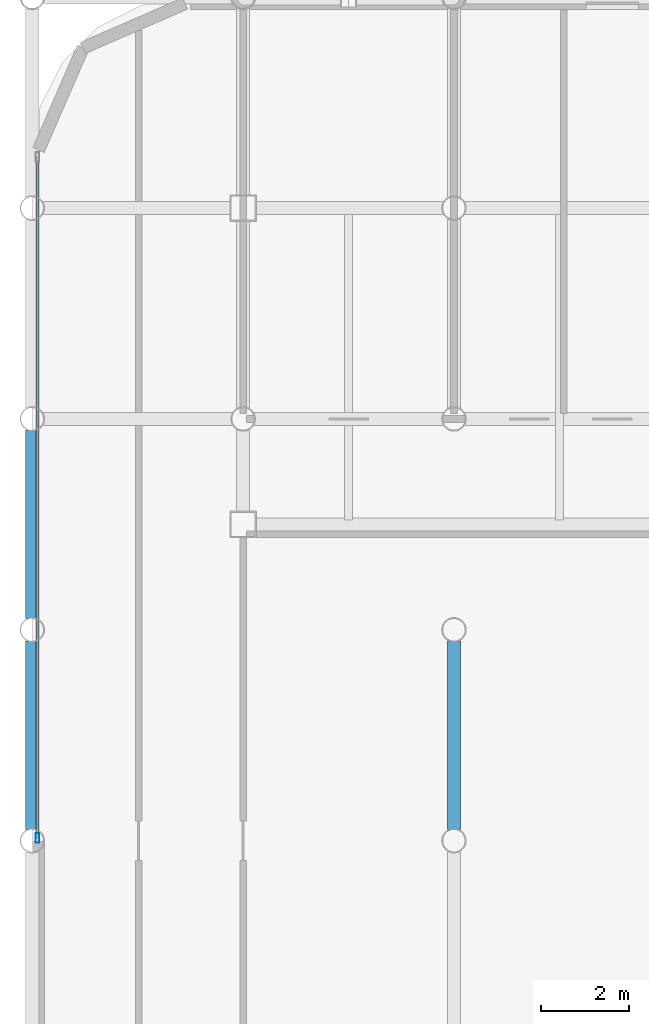
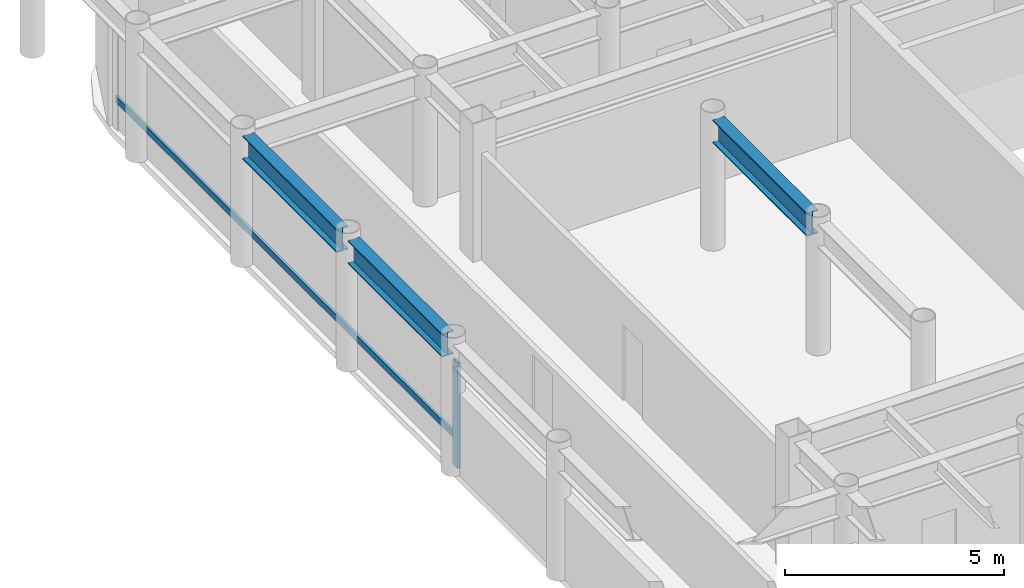
# One storey, part 6 of 22: 3 beams, 2 members, 1 element without a shape of its own.
"""IFC4 building model written with IfcOpenShell, lengths in metres."""

from ifc_helpers import new_model, si_unit, direction, frame, origin, origin_2d, place, context, subcontext, project, spatial, hollow_rectangle, i_section, extrude, material, layer, layer_set, material_profile, profile_set, type_object, element, aggregate, save


model = new_model("IFC4")

# Units and contexts
model_context = context("Model", 3, precision=1e-05, world=origin(), true_north=direction((0.0, 1.0)))
body_context = subcontext(model_context, "Body", "Model", "MODEL_VIEW")
ifc_project = project(units=[si_unit("LENGTHUNIT", "METRE"), si_unit("AREAUNIT", "SQUARE_METRE"), si_unit("VOLUMEUNIT", "CUBIC_METRE"), si_unit("PLANEANGLEUNIT", "RADIAN"), si_unit("MASSUNIT", "GRAM", prefix="KILO")], contexts=[model_context])

# Site, building, storey
site_placement = place(None, origin())
site = spatial("IfcSite", under=ifc_project, at=site_placement, CompositionType="ELEMENT")
building_placement = place(site_placement, origin())
building = spatial("IfcBuilding", under=site, at=building_placement, Name="Kallvorn Hotel Tower", CompositionType="ELEMENT")
storey_placement = place(building_placement, frame((0.0, 0.0, 199.199951171875)))
storey = spatial("IfcBuildingStorey", under=building, at=storey_placement, Name="L49", CompositionType="ELEMENT", Elevation=199.199951171875)

# Beams
ifc_material_1 = material(Name="Structural steel S355JR", Category="steel")
ifc_material_profile_1 = material_profile(ifc_material_1, i_section(OverallWidth=0.300048828125, OverallDepth=0.64990234375, WebThickness=0.01611328125, FlangeThickness=0.031005859375, at=origin_2d()), Name="HE 650 B")
ifc_profile_set_1 = profile_set([ifc_material_profile_1], Name="Structural steel S355JR")
beam_type = type_object("IfcBeamType", Name="BM_HE650B", PredefinedType="BEAM", material=ifc_profile_set_1)
for number, where, z_axis, x_axis, name in (
    (1, (-28.800048828125, 0.25439453125, 3.344970703125), (0.0, 1.0, 0.0), (-1.0, 0.0, 0.0), "L50 Primary Y-Girder 77"),
    (2, (-28.800048828125, 5.054443359375, 3.344970703125), (0.0, 1.0, 0.0), (-1.0, 0.0, 0.0), "L50 Primary Y-Girder 78"),
    (3, (-19.199951171875, 0.25439453125, 3.344970703125), (0.0, 1.0, 0.0), (-1.0, 0.0, 0.0), "L50 Primary Y-Girder 93"),
):
    element("IfcBeam", number, at=place(storey_placement, frame(where, z_axis=z_axis, x_axis=x_axis)), inside=storey, type_object=beam_type, Name=name, PredefinedType="BEAM", context=body_context, shape_type="SweptSolid", body=[
        extrude(i_section(OverallWidth=0.300048828125, OverallDepth=0.64990234375, WebThickness=0.01611328125, FlangeThickness=0.031005859375, at=origin_2d()), origin(), (0.0, 0.0, 1.0), 4.291015625),
    ])

# Curtain wall, members
ifc_material_2 = material(Name="Thermally broken black-anodised aluminium AA 6063-T6", Category="aluminium")
ifc_layer = layer(ifc_material_2, 0.22998046875)
ifc_layer_set = layer_set([ifc_layer], Name="CW_SYS_5_HOTEL_HIGH")
curtain_wall_type = type_object("IfcCurtainWallType", Name="CW_SYS_5_HOTEL_HIGH", PredefinedType="USERDEFINED", material=ifc_layer_set)
curtain_wall_placement = place(storey_placement, origin())
curtain_wall = element("IfcCurtainWall", 4, at=curtain_wall_placement, inside=storey, type_object=curtain_wall_type, Name="L49 Dark-Glass Curtain Wall CW-L49-WN", ObjectType="UNITISED CURTAIN WALL", PredefinedType="USERDEFINED")
ifc_material_3 = material(Name="Thermally broken black-anodised aluminium AA 6063-T6", Category="aluminium")
ifc_material_profile_2 = material_profile(ifc_material_3, hollow_rectangle(XDim=0.080078125, YDim=0.219970703125, WallThickness=0.0048828125, at=origin_2d()), Name="MUL 220x80")
ifc_profile_set_2 = profile_set([ifc_material_profile_2], Name="Thermally broken black-anodised aluminium AA 6063-T6")
member_type_1 = type_object("IfcMemberType", Name="CW_MULLION_220x80", PredefinedType="MULLION", material=ifc_profile_set_2)
member_1_placement = place(storey_placement, frame((-28.679931640625, 0.06005859375, 0.02001953125), z_axis=(0.0, 0.0, 1.0), x_axis=(1.0, 0.0, 0.0)))
member_1 = element("IfcMember", 5, at=member_1_placement, type_object=member_type_1, Name="CW-L49-WN Mullion 00", PredefinedType="MULLION", context=body_context, shape_type="SweptSolid", body=[
    extrude(hollow_rectangle(XDim=0.080078125, YDim=0.219970703125, WallThickness=0.0048828125, at=origin_2d()), origin(), (0.0, 0.0, 1.0), 2.929931640625),
])
ifc_material_4 = material(Name="Thermally broken black-anodised aluminium AA 6063-T6", Category="aluminium")
ifc_material_profile_3 = material_profile(ifc_material_4, hollow_rectangle(XDim=0.070068359375, YDim=0.179931640625, WallThickness=0.00390625, at=origin_2d()), Name="TRN 180x70")
ifc_profile_set_3 = profile_set([ifc_material_profile_3], Name="Thermally broken black-anodised aluminium AA 6063-T6")
member_type_2 = type_object("IfcMemberType", Name="CW_TRANSOM_180x70", PredefinedType="USERDEFINED", material=ifc_profile_set_3)
member_2_placement = place(storey_placement, frame((-28.679931640625, 0.06005859375, 0.85009765625), z_axis=(0.0, 1.0, 0.0), x_axis=(-1.0, 0.0, 0.0)))
member_2 = element("IfcMember", 6, at=member_2_placement, type_object=member_type_2, Name="CW-L49-WN Transom 00M", ObjectType="TRANSOM", PredefinedType="USERDEFINED", context=body_context, shape_type="SweptSolid", body=[
    extrude(hollow_rectangle(XDim=0.070068359375, YDim=0.179931640625, WallThickness=0.00390625, at=origin_2d()), origin(), (0.0, 0.0, 1.0), 15.5),
])
aggregate(curtain_wall, [member_1, member_2])

save(model, "model.ifc")
